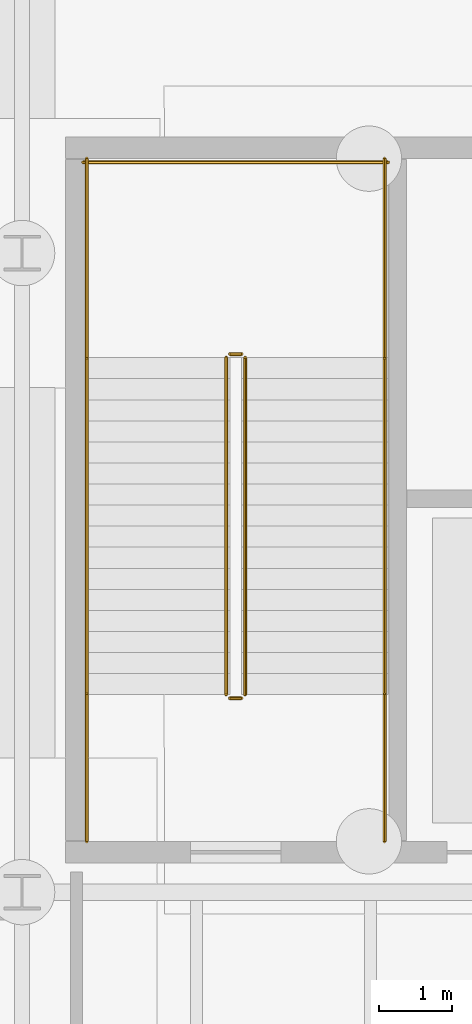
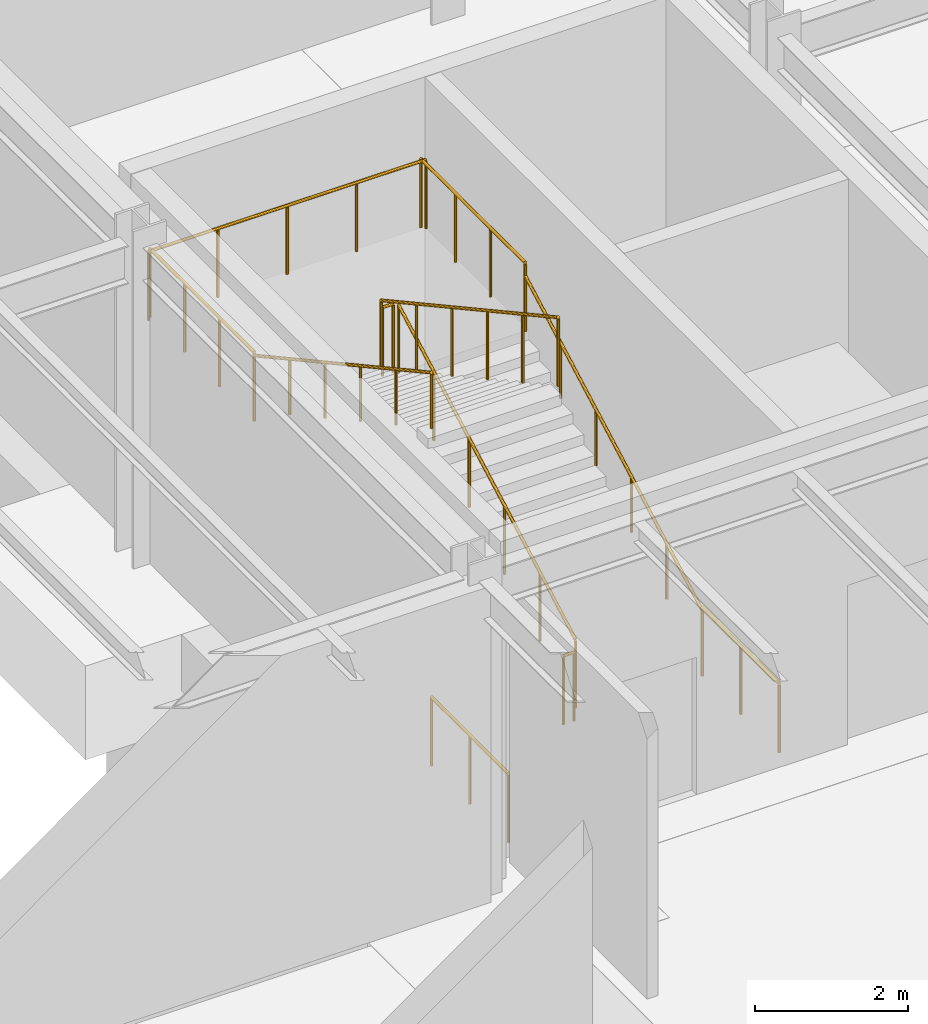
# One storey, part 43 of 48: 11 railings.
"""IFC4 building model written with IfcOpenShell, lengths in metres."""

from ifc_helpers import new_model, si_unit, direction, frame, origin, origin_2d, place, context, subcontext, project, spatial, circle, extrude, material, layer, layer_set, type_object, element, save


model = new_model("IFC4")

# Units and contexts
model_context = context("Model", 3, precision=1e-05, world=origin(), true_north=direction((0.0, 1.0)))
body_context = subcontext(model_context, "Body", "Model", "MODEL_VIEW")
ifc_project = project(units=[si_unit("LENGTHUNIT", "METRE"), si_unit("AREAUNIT", "SQUARE_METRE"), si_unit("VOLUMEUNIT", "CUBIC_METRE"), si_unit("PLANEANGLEUNIT", "RADIAN"), si_unit("MASSUNIT", "GRAM", prefix="KILO")], contexts=[model_context])

# Site, building, storey
site_placement = place(None, origin())
site = spatial("IfcSite", under=ifc_project, at=site_placement, CompositionType="ELEMENT")
building_placement = place(site_placement, origin())
building = spatial("IfcBuilding", under=site, at=building_placement, Name="Sarnbrook Museum", CompositionType="ELEMENT")
storey_placement = place(building_placement, frame((0.0, 0.0, -5.39990234375)))
storey = spatial("IfcBuildingStorey", under=building, at=storey_placement, Name="B1", CompositionType="ELEMENT", Elevation=-5.39990234375)

# Railings
ifc_material = material(Name="Brushed Stainless Steel Grade 316", Category="steel")
ifc_layer_1 = layer(ifc_material, 0.050048828125)
ifc_layer_set_1 = layer_set([ifc_layer_1], Name="Brushed Stainless Steel Grade 316")
railing_type_1 = type_object("IfcRailingType", Name="Guard_Int1120", PredefinedType="BALUSTRADE", material=ifc_layer_set_1)
railing_1_placement = place(storey_placement, frame((45.469970703125, 85.919921875, 0.15869140625)))
element("IfcRailing", 1, at=railing_1_placement, inside=storey, type_object=railing_type_1, Name="B1 ST6 stair guard 1", PredefinedType="BALUSTRADE", context=body_context, shape_type="SweptSolid", body=[
    extrude(circle(Radius=0.02392578125, at=origin_2d()), frame((0.0, 0.0, 1.09619140625), z_axis=(0.0, 0.877077751873, 0.480348433087), x_axis=(-1.0, 0.0, 0.0)), (0.0, 0.0, 1.0), 5.29052734375),
    extrude(circle(Radius=0.02099609375, at=origin_2d()), origin(), (0.0, 0.0, 1.0), 1.072021484375),
    extrude(circle(Radius=0.02099609375, at=origin_2d()), frame((0.0, 0.927978515625, 0.50830078125)), (0.0, 0.0, 1.0), 1.072021484375),
    extrude(circle(Radius=0.02099609375, at=origin_2d()), frame((0.0, 1.85595703125, 1.0166015625)), (0.0, 0.0, 1.0), 1.072021484375),
    extrude(circle(Radius=0.02099609375, at=origin_2d()), frame((0.0, 2.7841796875, 1.524658203125)), (0.0, 0.0, 1.0), 1.072021484375),
    extrude(circle(Radius=0.02099609375, at=origin_2d()), frame((0.0, 3.712158203125, 2.032958984375)), (0.0, 0.0, 1.0), 1.072021484375),
    extrude(circle(Radius=0.02099609375, at=origin_2d()), frame((0.0, 4.64013671875, 2.541259765625)), (0.0, 0.0, 1.0), 1.072021484375),
])
railing_2_placement = place(storey_placement, frame((45.419921875, 90.610107421875, 2.699951171875)))
element("IfcRailing", 2, at=railing_2_placement, inside=storey, type_object=railing_type_1, Name="B1 ST6 stair guard 2", PredefinedType="BALUSTRADE", context=body_context, shape_type="SweptSolid", body=[
    extrude(circle(Radius=0.02392578125, at=origin_2d()), frame((0.0, 0.0, 1.09619140625), z_axis=(-1.0, 0.0, 0.0), x_axis=(0.0, -1.0, 0.0)), (0.0, 0.0, 1.0), 0.159912109375),
    extrude(circle(Radius=0.02099609375, at=origin_2d()), origin(), (0.0, 0.0, 1.0), 1.072021484375),
    extrude(circle(Radius=0.02099609375, at=origin_2d()), frame((-0.159912109375, 0.0, 0.0)), (0.0, 0.0, 1.0), 1.072021484375),
])
for number, where, name in (
    (3, (47.389892578125, 90.56005859375, 2.699951171875), "B1 ST6 stair guard 3"),
    (4, (43.2900390625, 90.56005859375, 2.699951171875), "B1 ST6 stair guard 4"),
):
    element("IfcRailing", number, at=place(storey_placement, frame(where)), inside=storey, type_object=railing_type_1, Name=name, PredefinedType="BALUSTRADE", context=body_context, shape_type="SweptSolid", body=[
        extrude(circle(Radius=0.02392578125, at=origin_2d()), frame((0.0, 0.0, 1.09619140625), z_axis=(0.0, 1.0, 0.0), x_axis=(-1.0, 0.0, 0.0)), (0.0, 0.0, 1.0), 2.739990234375),
        extrude(circle(Radius=0.02099609375, at=origin_2d()), origin(), (0.0, 0.0, 1.0), 1.072021484375),
        extrude(circle(Radius=0.02099609375, at=origin_2d()), frame((0.0, 0.913330078125, 0.0)), (0.0, 0.0, 1.0), 1.072021484375),
        extrude(circle(Radius=0.02099609375, at=origin_2d()), frame((0.0, 1.82666015625, 0.0)), (0.0, 0.0, 1.0), 1.072021484375),
        extrude(circle(Radius=0.02099609375, at=origin_2d()), frame((0.0, 2.739990234375, 0.0)), (0.0, 0.0, 1.0), 1.072021484375),
    ])
railing_3_placement = place(storey_placement, frame((47.43994140625, 93.25, 2.699951171875)))
element("IfcRailing", 5, at=railing_3_placement, inside=storey, type_object=railing_type_1, Name="B1 ST6 stair guard 5", PredefinedType="BALUSTRADE", context=body_context, shape_type="SweptSolid", body=[
    extrude(circle(Radius=0.02392578125, at=origin_2d()), frame((0.0, 0.0, 1.09619140625), z_axis=(-1.0, 0.0, 0.0), x_axis=(0.0, -1.0, 0.0)), (0.0, 0.0, 1.0), 4.199951171875),
    extrude(circle(Radius=0.02099609375, at=origin_2d()), origin(), (0.0, 0.0, 1.0), 1.072021484375),
    extrude(circle(Radius=0.02099609375, at=origin_2d()), frame((-1.050048828125, 0.0, 0.0)), (0.0, 0.0, 1.0), 1.072021484375),
    extrude(circle(Radius=0.02099609375, at=origin_2d()), frame((-2.10009765625, 0.0, 0.0)), (0.0, 0.0, 1.0), 1.072021484375),
    extrude(circle(Radius=0.02099609375, at=origin_2d()), frame((-3.14990234375, 0.0, 0.0)), (0.0, 0.0, 1.0), 1.072021484375),
    extrude(circle(Radius=0.02099609375, at=origin_2d()), frame((-4.199951171875, 0.0, 0.0)), (0.0, 0.0, 1.0), 1.072021484375),
])
railing_4_placement = place(storey_placement, frame((45.2099609375, 90.56005859375, 2.858642578125)))
element("IfcRailing", 6, at=railing_4_placement, inside=storey, type_object=railing_type_1, Name="B1 ST6 stair guard 6", PredefinedType="BALUSTRADE", context=body_context, shape_type="SweptSolid", body=[
    extrude(circle(Radius=0.02392578125, at=origin_2d()), frame((0.0, 0.0, 1.09619140625), z_axis=(0.0, -0.877077751873, 0.480348433087), x_axis=(1.0, 0.0, 0.0)), (0.0, 0.0, 1.0), 5.29052734375),
    extrude(circle(Radius=0.02099609375, at=origin_2d()), origin(), (0.0, 0.0, 1.0), 1.072021484375),
    extrude(circle(Radius=0.02099609375, at=origin_2d()), frame((0.0, -0.927978515625, 0.50830078125)), (0.0, 0.0, 1.0), 1.072021484375),
    extrude(circle(Radius=0.02099609375, at=origin_2d()), frame((0.0, -1.85595703125, 1.0166015625)), (0.0, 0.0, 1.0), 1.072021484375),
    extrude(circle(Radius=0.02099609375, at=origin_2d()), frame((0.0, -2.7841796875, 1.524658203125)), (0.0, 0.0, 1.0), 1.072021484375),
    extrude(circle(Radius=0.02099609375, at=origin_2d()), frame((0.0, -3.712158203125, 2.032958984375)), (0.0, 0.0, 1.0), 1.072021484375),
    extrude(circle(Radius=0.02099609375, at=origin_2d()), frame((0.0, -4.64013671875, 2.541259765625)), (0.0, 0.0, 1.0), 1.072021484375),
])
railing_5_placement = place(storey_placement, frame((45.419921875, 85.8701171875, 0.0)))
element("IfcRailing", 7, at=railing_5_placement, inside=storey, type_object=railing_type_1, Name="B1 ST6 stair guard 7", PredefinedType="BALUSTRADE", context=body_context, shape_type="SweptSolid", body=[
    extrude(circle(Radius=0.02392578125, at=origin_2d()), frame((0.0, 0.0, 1.09619140625), z_axis=(-1.0, 0.0, 0.0), x_axis=(0.0, -1.0, 0.0)), (0.0, 0.0, 1.0), 0.159912109375),
    extrude(circle(Radius=0.02099609375, at=origin_2d()), origin(), (0.0, 0.0, 1.0), 1.072021484375),
    extrude(circle(Radius=0.02099609375, at=origin_2d()), frame((-0.159912109375, 0.0, 0.0)), (0.0, 0.0, 1.0), 1.072021484375),
])
for number, where, name in (
    (8, (47.389892578125, 83.89990234375, 0.0), "B1 ST6 stair guard 8"),
    (9, (43.2900390625, 83.89990234375, 0.0), "B1 ST6 stair guard 9"),
):
    element("IfcRailing", number, at=place(storey_placement, frame(where)), inside=storey, type_object=railing_type_1, Name=name, PredefinedType="BALUSTRADE", context=body_context, shape_type="SweptSolid", body=[
        extrude(circle(Radius=0.02392578125, at=origin_2d()), frame((0.0, 0.0, 1.09619140625), z_axis=(0.0, 1.0, 0.0), x_axis=(-1.0, 0.0, 0.0)), (0.0, 0.0, 1.0), 2.02001953125),
        extrude(circle(Radius=0.02099609375, at=origin_2d()), origin(), (0.0, 0.0, 1.0), 1.072021484375),
        extrude(circle(Radius=0.02099609375, at=origin_2d()), frame((0.0, 1.010009765625, 0.0)), (0.0, 0.0, 1.0), 1.072021484375),
        extrude(circle(Radius=0.02099609375, at=origin_2d()), frame((0.0, 2.02001953125, 0.0)), (0.0, 0.0, 1.0), 1.072021484375),
    ])
ifc_layer_2 = layer(ifc_material, 0.048095703125)
ifc_layer_set_2 = layer_set([ifc_layer_2], Name="Brushed Stainless Steel Grade 316")
railing_type_2 = type_object("IfcRailingType", Name="Handrail_920", PredefinedType="HANDRAIL", material=ifc_layer_set_2)
railing_6_placement = place(storey_placement, frame((47.389892578125, 85.919921875, 0.15869140625)))
element("IfcRailing", 10, at=railing_6_placement, inside=storey, type_object=railing_type_2, Name="B1 ST6 stair handrail 1", PredefinedType="HANDRAIL", context=body_context, shape_type="SweptSolid", body=[
    extrude(circle(Radius=0.02392578125, at=origin_2d()), frame((0.0, 0.0, 0.8857421875), z_axis=(0.0, 0.877077751873, 0.480348433087), x_axis=(-1.0, 0.0, 0.0)), (0.0, 0.0, 1.0), 5.29052734375),
    extrude(circle(Radius=0.02099609375, at=origin_2d()), origin(), (0.0, 0.0, 1.0), 0.86181640625),
    extrude(circle(Radius=0.02099609375, at=origin_2d()), frame((0.0, 0.927978515625, 0.50830078125)), (0.0, 0.0, 1.0), 0.86181640625),
    extrude(circle(Radius=0.02099609375, at=origin_2d()), frame((0.0, 1.85595703125, 1.0166015625)), (0.0, 0.0, 1.0), 0.86181640625),
    extrude(circle(Radius=0.02099609375, at=origin_2d()), frame((0.0, 2.7841796875, 1.524658203125)), (0.0, 0.0, 1.0), 0.86181640625),
    extrude(circle(Radius=0.02099609375, at=origin_2d()), frame((0.0, 3.712158203125, 2.032958984375)), (0.0, 0.0, 1.0), 0.86181640625),
    extrude(circle(Radius=0.02099609375, at=origin_2d()), frame((0.0, 4.64013671875, 2.541259765625)), (0.0, 0.0, 1.0), 0.86181640625),
])
railing_7_placement = place(storey_placement, frame((43.2900390625, 90.56005859375, 2.858642578125)))
element("IfcRailing", 11, at=railing_7_placement, inside=storey, type_object=railing_type_2, Name="B1 ST6 stair handrail 2", PredefinedType="HANDRAIL", context=body_context, shape_type="SweptSolid", body=[
    extrude(circle(Radius=0.02392578125, at=origin_2d()), frame((0.0, 0.0, 0.8857421875), z_axis=(0.0, -0.877077751873, 0.480348433087), x_axis=(1.0, 0.0, 0.0)), (0.0, 0.0, 1.0), 5.29052734375),
    extrude(circle(Radius=0.02099609375, at=origin_2d()), origin(), (0.0, 0.0, 1.0), 0.86181640625),
    extrude(circle(Radius=0.02099609375, at=origin_2d()), frame((0.0, -0.927978515625, 0.50830078125)), (0.0, 0.0, 1.0), 0.86181640625),
    extrude(circle(Radius=0.02099609375, at=origin_2d()), frame((0.0, -1.85595703125, 1.0166015625)), (0.0, 0.0, 1.0), 0.86181640625),
    extrude(circle(Radius=0.02099609375, at=origin_2d()), frame((0.0, -2.7841796875, 1.524658203125)), (0.0, 0.0, 1.0), 0.86181640625),
    extrude(circle(Radius=0.02099609375, at=origin_2d()), frame((0.0, -3.712158203125, 2.032958984375)), (0.0, 0.0, 1.0), 0.86181640625),
    extrude(circle(Radius=0.02099609375, at=origin_2d()), frame((0.0, -4.64013671875, 2.541259765625)), (0.0, 0.0, 1.0), 0.86181640625),
])

save(model, "model.ifc")
